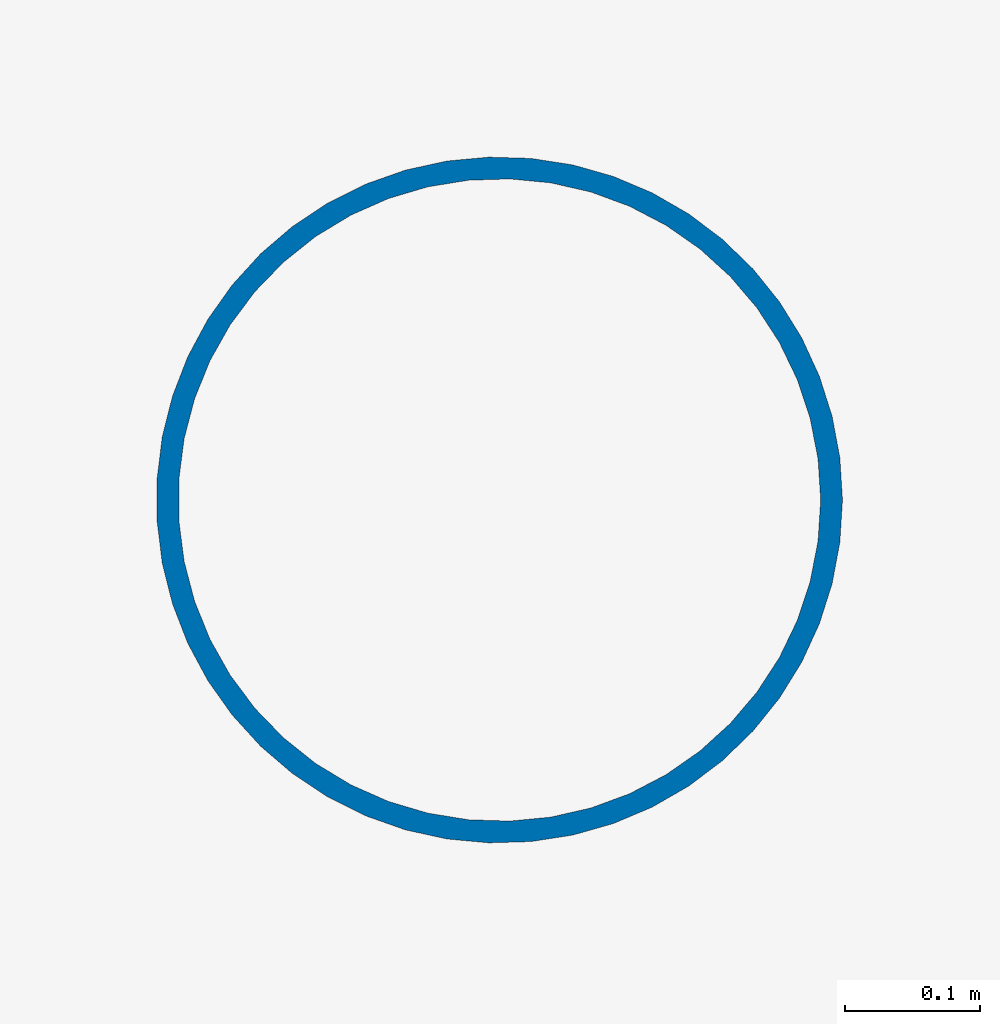
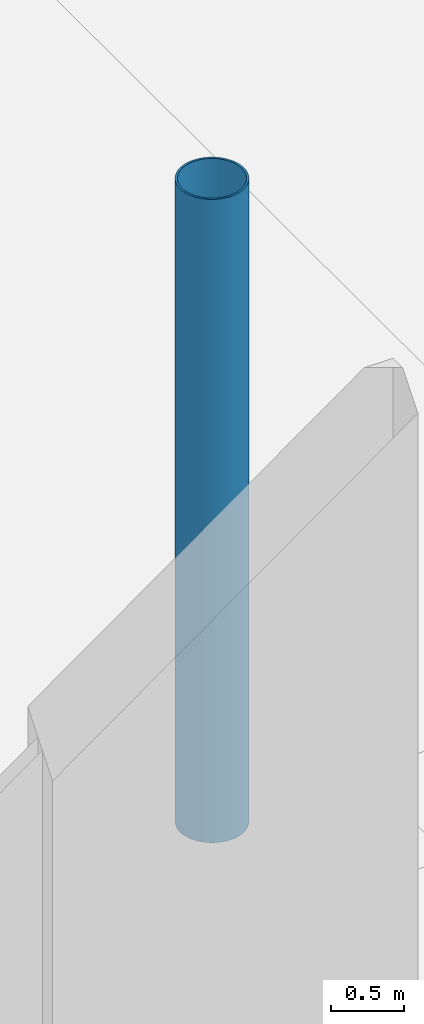
# One storey, part 37 of 132: 1 column.
"""IFC4 building model written with IfcOpenShell, lengths in metres."""

from ifc_helpers import new_model, si_unit, direction, frame, origin, origin_2d, place, context, subcontext, project, spatial, hollow_circle, extrude, material, material_profile, profile_set, type_object, element, save


model = new_model("IFC4")

# Units and contexts
model_context = context("Model", 3, precision=1e-05, world=origin(), true_north=direction((0.0, 1.0)))
body_context = subcontext(model_context, "Body", "Model", "MODEL_VIEW")
ifc_project = project(units=[si_unit("LENGTHUNIT", "METRE"), si_unit("AREAUNIT", "SQUARE_METRE"), si_unit("VOLUMEUNIT", "CUBIC_METRE"), si_unit("PLANEANGLEUNIT", "RADIAN"), si_unit("MASSUNIT", "GRAM", prefix="KILO")], contexts=[model_context])

# Site, building, storey
site_placement = place(None, origin())
site = spatial("IfcSite", under=ifc_project, at=site_placement, CompositionType="ELEMENT")
building_placement = place(site_placement, origin())
building = spatial("IfcBuilding", under=site, at=building_placement, Name="Ravi Spectrum Wholesale Market", CompositionType="ELEMENT")
storey_placement = place(building_placement, origin())
storey = spatial("IfcBuildingStorey", under=building, at=storey_placement, Name="L00", CompositionType="ELEMENT", Elevation=0.0)

# Column
ifc_material = material(Name="Steel S355", Category="steel")
ifc_material_profile = material_profile(ifc_material, hollow_circle(Radius=0.25390625, WallThickness=0.01611328125, at=origin_2d()))
ifc_profile_set = profile_set([ifc_material_profile], Name="Steel S355")
column_type = type_object("IfcColumnType", Name="CHS 508x16 column", PredefinedType="COLUMN", material=ifc_profile_set)
column_placement = place(storey_placement, frame((110.0, 198.0, 0.0), z_axis=(0.0, 0.0, 1.0), x_axis=(1.0, 0.0, 0.0)))
element("IfcColumn", 1, at=column_placement, inside=storey, type_object=column_type, Name="H1-COL-L00-030", PredefinedType="COLUMN", context=body_context, shape_type="SweptSolid", body=[
    extrude(hollow_circle(Radius=0.25390625, WallThickness=0.01611328125, at=origin_2d()), origin(), (0.0, 0.0, 1.0), 5.39990234375),
])

save(model, "model.ifc")
